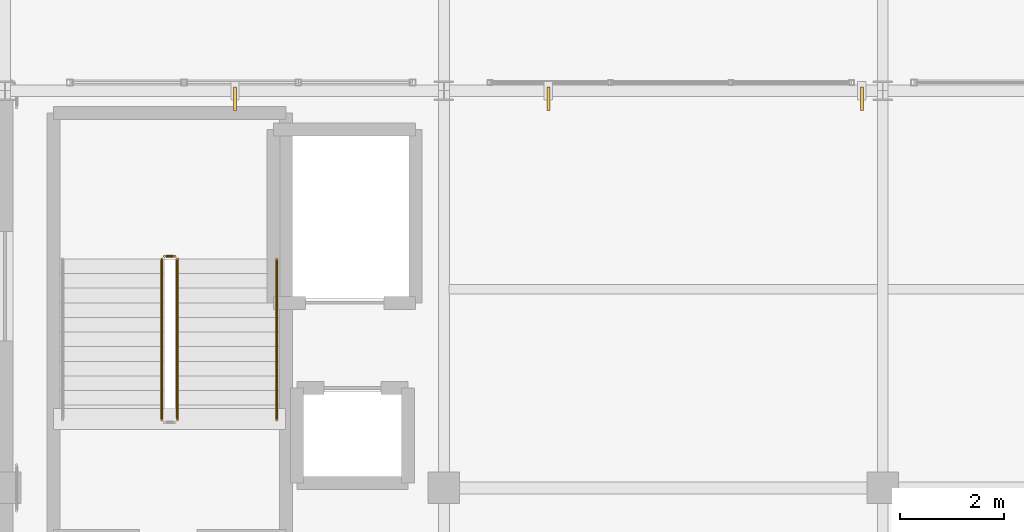
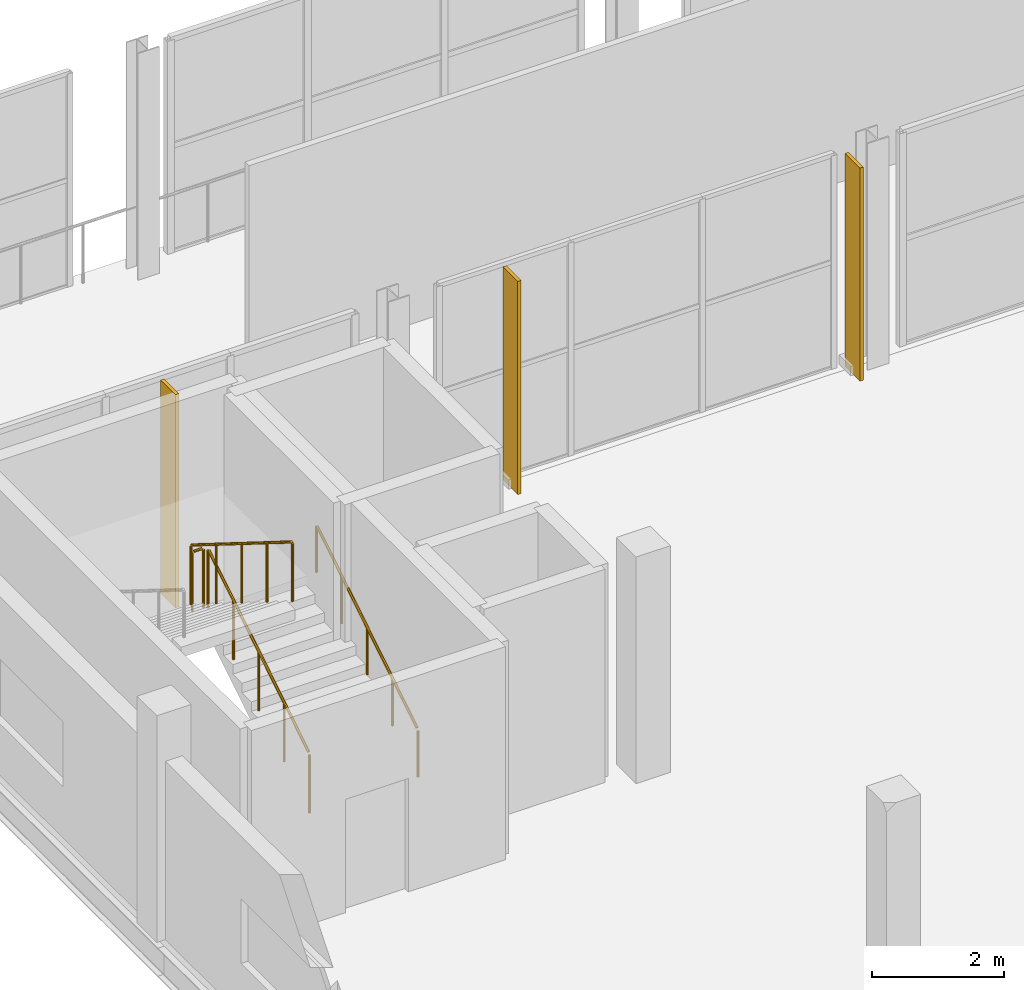
# One storey, part 206 of 217: 4 railings, 3 shading devices.
"""IFC4 building model written with IfcOpenShell, lengths in metres."""

from ifc_helpers import new_model, si_unit, direction, frame, origin, origin_2d, place, context, subcontext, project, spatial, rectangle, circle, extrude, material, type_object, element, save


model = new_model("IFC4")

# Units and contexts
model_context = context("Model", 3, precision=1e-05, world=origin(), true_north=direction((0.0, 1.0)))
body_context = subcontext(model_context, "Body", "Model", "MODEL_VIEW")
ifc_project = project(units=[si_unit("LENGTHUNIT", "METRE"), si_unit("AREAUNIT", "SQUARE_METRE"), si_unit("VOLUMEUNIT", "CUBIC_METRE"), si_unit("PLANEANGLEUNIT", "RADIAN"), si_unit("MASSUNIT", "GRAM", prefix="KILO")], contexts=[model_context])

# Site, building, storey
site_placement = place(None, origin())
site = spatial("IfcSite", under=ifc_project, at=site_placement, CompositionType="ELEMENT")
building_placement = place(site_placement, origin())
building = spatial("IfcBuilding", under=site, at=building_placement, Name="Zuvorla Pavilion Media Centre", CompositionType="ELEMENT")
storey_placement = place(building_placement, frame((0.0, 0.0, 9.60009765625)))
storey = spatial("IfcBuildingStorey", under=building, at=storey_placement, Name="L02", CompositionType="ELEMENT", Elevation=9.60009765625)

# Railings
ifc_material_1 = material(Name="Powder-coated steel balustrade guard", Category="steel")
railing_type_1 = type_object("IfcRailingType", Name="RL-INT-GRD", PredefinedType="BALUSTRADE", material=ifc_material_1)
railing_1_placement = place(storey_placement, frame((44.89990234375, 37.699951171875, 0.1748046875)))
element("IfcRailing", 1, at=railing_1_placement, inside=storey, type_object=railing_type_1, Name="L02 ST-03 stair guard 1", PredefinedType="BALUSTRADE", context=body_context, shape_type="SweptSolid", body=[
    extrude(circle(Radius=0.02392578125, at=origin_2d()), frame((0.0, 0.0244140625, 1.111328125), z_axis=(0.0, 0.847998304005, 0.529998940003), x_axis=(-1.0, 0.0, 0.0)), (0.0, 0.0, 1.0), 3.574462890625),
    extrude(circle(Radius=0.02099609375, at=origin_2d()), origin(), (0.0, 0.0, 1.0), 1.070068359375),
    extrude(circle(Radius=0.02099609375, at=origin_2d()), frame((0.0, 0.77001953125, 0.481201171875)), (0.0, 0.0, 1.0), 1.070068359375),
    extrude(circle(Radius=0.02099609375, at=origin_2d()), frame((0.0, 1.5400390625, 0.96240234375)), (0.0, 0.0, 1.0), 1.070068359375),
    extrude(circle(Radius=0.02099609375, at=origin_2d()), frame((0.0, 2.31005859375, 1.44384765625)), (0.0, 0.0, 1.0), 1.070068359375),
    extrude(circle(Radius=0.02099609375, at=origin_2d()), frame((0.0, 3.080078125, 1.925048828125)), (0.0, 0.0, 1.0), 1.070068359375),
])
railing_2_placement = place(storey_placement, frame((44.85009765625, 40.830078125, 2.099853515625)))
element("IfcRailing", 2, at=railing_2_placement, inside=storey, type_object=railing_type_1, Name="L02 ST-03 stair guard 2", PredefinedType="BALUSTRADE", context=body_context, shape_type="SweptSolid", body=[
    extrude(circle(Radius=0.02392578125, at=origin_2d()), frame((-0.02880859375, 0.0, 1.09619140625), z_axis=(-1.0, 0.0, 0.0), x_axis=(0.0, -1.0, 0.0)), (0.0, 0.0, 1.0), 0.142578125),
    extrude(circle(Radius=0.02099609375, at=origin_2d()), origin(), (0.0, 0.0, 1.0), 1.070068359375),
    extrude(circle(Radius=0.02099609375, at=origin_2d()), frame((-0.2001953125, 0.0, 0.0)), (0.0, 0.0, 1.0), 1.070068359375),
])
railing_3_placement = place(storey_placement, frame((44.60009765625, 40.780029296875, 2.27490234375)))
element("IfcRailing", 3, at=railing_3_placement, inside=storey, type_object=railing_type_1, Name="L02 ST-03 stair guard 3", PredefinedType="BALUSTRADE", context=body_context, shape_type="SweptSolid", body=[
    extrude(circle(Radius=0.02392578125, at=origin_2d()), frame((0.0, -0.0244140625, 1.111328125), z_axis=(0.0, -0.847998304005, 0.529998940003), x_axis=(1.0, 0.0, 0.0)), (0.0, 0.0, 1.0), 3.574462890625),
    extrude(circle(Radius=0.02099609375, at=origin_2d()), origin(), (0.0, 0.0, 1.0), 1.070068359375),
    extrude(circle(Radius=0.02099609375, at=origin_2d()), frame((0.0, -0.77001953125, 0.481201171875)), (0.0, 0.0, 1.0), 1.070068359375),
    extrude(circle(Radius=0.02099609375, at=origin_2d()), frame((0.0, -1.5400390625, 0.96240234375)), (0.0, 0.0, 1.0), 1.070068359375),
    extrude(circle(Radius=0.02099609375, at=origin_2d()), frame((0.0, -2.31005859375, 1.44384765625)), (0.0, 0.0, 1.0), 1.070068359375),
    extrude(circle(Radius=0.02099609375, at=origin_2d()), frame((0.0, -3.080078125, 1.925048828125)), (0.0, 0.0, 1.0), 1.070068359375),
])
ifc_material_2 = material(Name="Brushed stainless steel tubular handrail", Category="steel")
railing_type_2 = type_object("IfcRailingType", Name="RL-INT-HND", PredefinedType="HANDRAIL", material=ifc_material_2)
railing_4_placement = place(storey_placement, frame((46.800048828125, 37.699951171875, 0.1748046875)))
element("IfcRailing", 4, at=railing_4_placement, inside=storey, type_object=railing_type_2, Name="L02 ST-03 handrail 1", PredefinedType="HANDRAIL", context=body_context, shape_type="SweptSolid", body=[
    extrude(circle(Radius=0.02392578125, at=origin_2d()), frame((0.0, 0.0244140625, 0.89111328125), z_axis=(0.0, 0.847998304005, 0.529998940003), x_axis=(-1.0, 0.0, 0.0)), (0.0, 0.0, 1.0), 3.574462890625),
    extrude(circle(Radius=0.02099609375, at=origin_2d()), origin(), (0.0, 0.0, 1.0), 0.849853515625),
    extrude(circle(Radius=0.02099609375, at=origin_2d()), frame((0.0, 0.77001953125, 0.481201171875)), (0.0, 0.0, 1.0), 0.849853515625),
    extrude(circle(Radius=0.02099609375, at=origin_2d()), frame((0.0, 1.5400390625, 0.96240234375)), (0.0, 0.0, 1.0), 0.849853515625),
    extrude(circle(Radius=0.02099609375, at=origin_2d()), frame((0.0, 2.31005859375, 1.44384765625)), (0.0, 0.0, 1.0), 0.849853515625),
    extrude(circle(Radius=0.02099609375, at=origin_2d()), frame((0.0, 3.080078125, 1.925048828125)), (0.0, 0.0, 1.0), 0.849853515625),
])

# Shading devices
ifc_material_3 = material(Name="Anodised aluminium aerofoil brise-soleil fin", Category="aluminium")
shading_device_type = type_object("IfcShadingDeviceType", Name="SHD-FIN-ALU", PredefinedType="USERDEFINED", material=ifc_material_3)
for number, where, z_axis, x_axis, name in (
    (5, (46.0, 43.85009765625, 0.0), (0.0, 0.0, 1.0), (1.0, 0.0, 0.0), "L02 aluminium solar fin 4"),
    (6, (52.0, 43.85009765625, 0.0), (0.0, 0.0, 1.0), (1.0, 0.0, 0.0), "L02 aluminium solar fin 5"),
    (7, (58.0, 43.85009765625, 0.0), (0.0, 0.0, 1.0), (1.0, 0.0, 0.0), "L02 aluminium solar fin 6"),
):
    element("IfcShadingDevice", number, at=place(storey_placement, frame(where, z_axis=z_axis, x_axis=x_axis)), inside=storey, type_object=shading_device_type, Name=name, ObjectType="FIN", PredefinedType="USERDEFINED", context=body_context, shape_type="SweptSolid", body=[
        extrude(rectangle(XDim=0.06005859375, YDim=0.449951171875, at=origin_2d()), origin(), (0.0, 0.0, 1.0), 3.949951171875),
    ])

save(model, "model.ifc")
